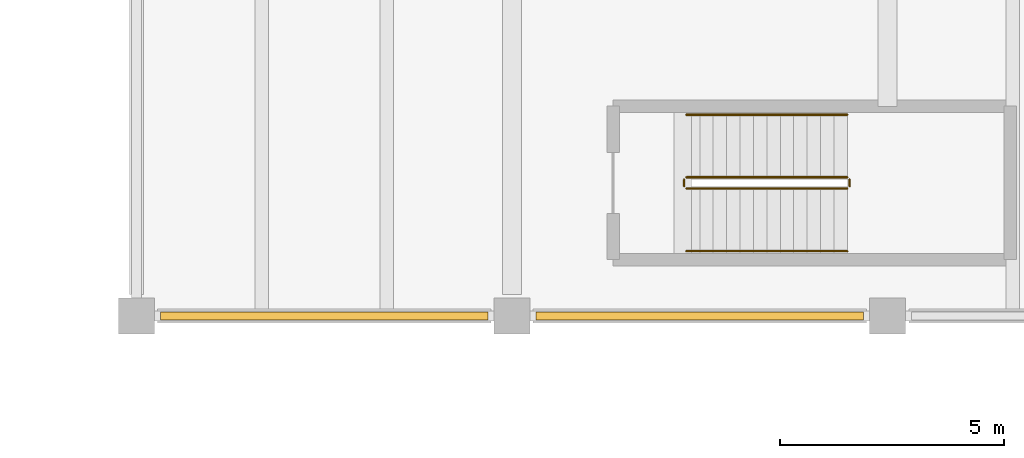
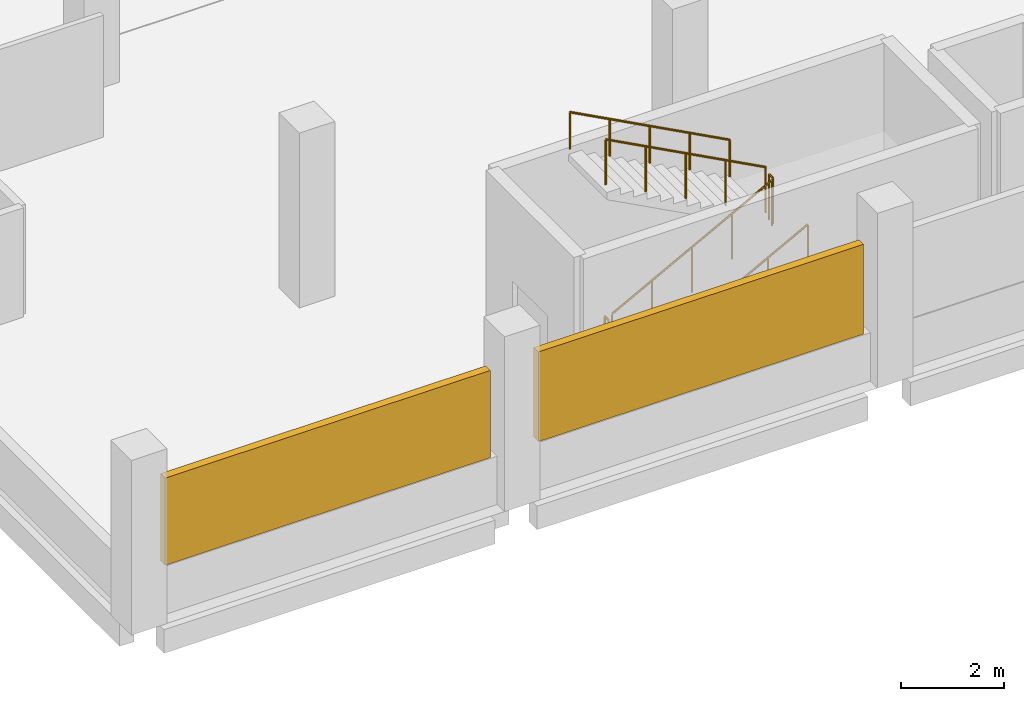
# One storey, part 164 of 177: 6 railings, 2 shading devices.
"""IFC4 building model written with IfcOpenShell, lengths in metres."""

from ifc_helpers import new_model, si_unit, direction, frame, origin, origin_2d, place, context, subcontext, project, spatial, rectangle, circle, extrude, material, type_object, element, save


model = new_model("IFC4")

# Units and contexts
model_context = context("Model", 3, precision=1e-05, world=origin(), true_north=direction((0.0, 1.0)))
body_context = subcontext(model_context, "Body", "Model", "MODEL_VIEW")
ifc_project = project(units=[si_unit("LENGTHUNIT", "METRE"), si_unit("AREAUNIT", "SQUARE_METRE"), si_unit("VOLUMEUNIT", "CUBIC_METRE"), si_unit("PLANEANGLEUNIT", "RADIAN"), si_unit("MASSUNIT", "GRAM", prefix="KILO"), si_unit("THERMODYNAMICTEMPERATUREUNIT", "KELVIN"), si_unit("POWERUNIT", "WATT")], contexts=[model_context])

# Site, building, storey
site_placement = place(None, origin())
site = spatial("IfcSite", under=ifc_project, at=site_placement, CompositionType="ELEMENT")
building_placement = place(site_placement, origin())
building = spatial("IfcBuilding", under=site, at=building_placement, Name="Mavoryth Pier Ferry Terminal", CompositionType="ELEMENT")
storey_placement = place(building_placement, frame((0.0, 0.0, 5.43994140625)))
storey = spatial("IfcBuildingStorey", under=building, at=storey_placement, Name="L01", CompositionType="ELEMENT", Elevation=5.43994140625)

# Railings
ifc_material_1 = material(Name="Painted Galvanised Steel Balustrade", Category="steel")
railing_type_1 = type_object("IfcRailingType", Name="Guard-Stair-Steel1100", PredefinedType="GUARDRAIL", material=ifc_material_1)
railing_1_placement = place(storey_placement, frame((121.5, 16.85009765625, 0.16015625)))
element("IfcRailing", 1, at=railing_1_placement, inside=storey, type_object=railing_type_1, Name="L01 ST08 stair guard 1", PredefinedType="GUARDRAIL", context=body_context, shape_type="SweptSolid", body=[
    extrude(circle(Radius=0.02392578125, at=origin_2d()), frame((0.0, 0.0, 1.076171875), z_axis=(0.882366192074, 0.0, 0.470563389019), x_axis=(0.0, 1.0, 0.0)), (0.0, 0.0, 1.0), 4.080078125),
    extrude(circle(Radius=0.02099609375, at=origin_2d()), origin(), (0.0, 0.0, 1.0), 1.052001953125),
    extrude(circle(Radius=0.02099609375, at=origin_2d()), frame((0.89990234375, 0.0, 0.47998046875)), (0.0, 0.0, 1.0), 1.052001953125),
    extrude(circle(Radius=0.02099609375, at=origin_2d()), frame((1.800048828125, 0.0, 0.9599609375)), (0.0, 0.0, 1.0), 1.052001953125),
    extrude(circle(Radius=0.02099609375, at=origin_2d()), frame((2.7001953125, 0.0, 1.43994140625)), (0.0, 0.0, 1.0), 1.052001953125),
    extrude(circle(Radius=0.02099609375, at=origin_2d()), frame((3.60009765625, 0.0, 1.919921875)), (0.0, 0.0, 1.0), 1.052001953125),
])
railing_2_placement = place(storey_placement, frame((125.14990234375, 16.89990234375, 2.080078125)))
element("IfcRailing", 2, at=railing_2_placement, inside=storey, type_object=railing_type_1, Name="L01 ST08 stair guard 2", PredefinedType="GUARDRAIL", context=body_context, shape_type="SweptSolid", body=[
    extrude(circle(Radius=0.02392578125, at=origin_2d()), frame((0.0, 0.0, 1.076171875), z_axis=(0.0, 1.0, 0.0), x_axis=(-1.0, 0.0, 0.0)), (0.0, 0.0, 1.0), 0.150146484375),
    extrude(circle(Radius=0.02099609375, at=origin_2d()), origin(), (0.0, 0.0, 1.0), 1.052001953125),
    extrude(circle(Radius=0.02099609375, at=origin_2d()), frame((0.0, 0.150146484375, 0.0)), (0.0, 0.0, 1.0), 1.052001953125),
])
railing_3_placement = place(storey_placement, frame((125.10009765625, 17.10009765625, 2.239990234375)))
element("IfcRailing", 3, at=railing_3_placement, inside=storey, type_object=railing_type_1, Name="L01 ST08 stair guard 3", PredefinedType="GUARDRAIL", context=body_context, shape_type="SweptSolid", body=[
    extrude(circle(Radius=0.02392578125, at=origin_2d()), frame((0.0, 0.0, 1.076171875), z_axis=(-0.882341346394, 0.0, 0.470609974867), x_axis=(0.0, -1.0, 0.0)), (0.0, 0.0, 1.0), 4.080078125),
    extrude(circle(Radius=0.02099609375, at=origin_2d()), origin(), (0.0, 0.0, 1.0), 1.052001953125),
    extrude(circle(Radius=0.02099609375, at=origin_2d()), frame((-0.89990234375, 0.0, 0.47998046875)), (0.0, 0.0, 1.0), 1.052001953125),
    extrude(circle(Radius=0.02099609375, at=origin_2d()), frame((-1.800048828125, 0.0, 0.9599609375)), (0.0, 0.0, 1.0), 1.052001953125),
    extrude(circle(Radius=0.02099609375, at=origin_2d()), frame((-2.7001953125, 0.0, 1.440185546875)), (0.0, 0.0, 1.0), 1.052001953125),
    extrude(circle(Radius=0.02099609375, at=origin_2d()), frame((-3.60009765625, 0.0, 1.920166015625)), (0.0, 0.0, 1.0), 1.052001953125),
])
railing_4_placement = place(storey_placement, frame((121.449951171875, 16.89990234375, 0.0)))
element("IfcRailing", 4, at=railing_4_placement, inside=storey, type_object=railing_type_1, Name="L01 ST08 stair guard 4", PredefinedType="GUARDRAIL", context=body_context, shape_type="SweptSolid", body=[
    extrude(circle(Radius=0.02392578125, at=origin_2d()), frame((0.0, 0.0, 1.076171875), z_axis=(0.0, 1.0, 0.0), x_axis=(-1.0, 0.0, 0.0)), (0.0, 0.0, 1.0), 0.150146484375),
    extrude(circle(Radius=0.02099609375, at=origin_2d()), origin(), (0.0, 0.0, 1.0), 1.052001953125),
    extrude(circle(Radius=0.02099609375, at=origin_2d()), frame((0.0, 0.150146484375, 0.0)), (0.0, 0.0, 1.0), 1.052001953125),
])
ifc_material_2 = material(Name="Brushed Stainless Steel Tubular Handrail", Category="steel")
railing_type_2 = type_object("IfcRailingType", Name="Handrail-Stair-SS900", PredefinedType="HANDRAIL", material=ifc_material_2)
railing_5_placement = place(storey_placement, frame((121.5, 15.449951171875, 0.16015625)))
element("IfcRailing", 5, at=railing_5_placement, inside=storey, type_object=railing_type_2, Name="L01 ST08 stair handrail 1", PredefinedType="HANDRAIL", context=body_context, shape_type="SweptSolid", body=[
    extrude(circle(Radius=0.02392578125, at=origin_2d()), frame((0.0, 0.0, 0.8759765625), z_axis=(0.882366192074, 0.0, 0.470563389019), x_axis=(0.0, 1.0, 0.0)), (0.0, 0.0, 1.0), 4.080078125),
    extrude(circle(Radius=0.02099609375, at=origin_2d()), origin(), (0.0, 0.0, 1.0), 0.851806640625),
    extrude(circle(Radius=0.02099609375, at=origin_2d()), frame((0.89990234375, 0.0, 0.47998046875)), (0.0, 0.0, 1.0), 0.851806640625),
    extrude(circle(Radius=0.02099609375, at=origin_2d()), frame((1.800048828125, 0.0, 0.9599609375)), (0.0, 0.0, 1.0), 0.851806640625),
    extrude(circle(Radius=0.02099609375, at=origin_2d()), frame((2.7001953125, 0.0, 1.43994140625)), (0.0, 0.0, 1.0), 0.851806640625),
    extrude(circle(Radius=0.02099609375, at=origin_2d()), frame((3.60009765625, 0.0, 1.919921875)), (0.0, 0.0, 1.0), 0.851806640625),
])
railing_6_placement = place(storey_placement, frame((125.10009765625, 18.5, 2.239990234375)))
element("IfcRailing", 6, at=railing_6_placement, inside=storey, type_object=railing_type_2, Name="L01 ST08 stair handrail 2", PredefinedType="HANDRAIL", context=body_context, shape_type="SweptSolid", body=[
    extrude(circle(Radius=0.02392578125, at=origin_2d()), frame((0.0, 0.0, 0.8759765625), z_axis=(-0.882341346394, 0.0, 0.470609974867), x_axis=(0.0, -1.0, 0.0)), (0.0, 0.0, 1.0), 4.080078125),
    extrude(circle(Radius=0.02099609375, at=origin_2d()), origin(), (0.0, 0.0, 1.0), 0.851806640625),
    extrude(circle(Radius=0.02099609375, at=origin_2d()), frame((-0.89990234375, 0.0, 0.47998046875)), (0.0, 0.0, 1.0), 0.851806640625),
    extrude(circle(Radius=0.02099609375, at=origin_2d()), frame((-1.800048828125, 0.0, 0.9599609375)), (0.0, 0.0, 1.0), 0.851806640625),
    extrude(circle(Radius=0.02099609375, at=origin_2d()), frame((-2.7001953125, 0.0, 1.440185546875)), (0.0, 0.0, 1.0), 0.851806640625),
    extrude(circle(Radius=0.02099609375, at=origin_2d()), frame((-3.60009765625, 0.0, 1.920166015625)), (0.0, 0.0, 1.0), 0.851806640625),
])

# Shading devices
ifc_material_3 = material(Name="Perforated Glazed Ceramic Solar Screen")
shading_device_type = type_object("IfcShadingDeviceType", Name="Screen-Ceramic-Bay7400x1900", PredefinedType="JALOUSIE", material=ifc_material_3)
shading_device_1_placement = place(storey_placement, frame((113.39990234375, 14.0, 1.14990234375), z_axis=(0.0, 0.0, 1.0), x_axis=(1.0, 0.0, 0.0)))
element("IfcShadingDevice", 7, at=shading_device_1_placement, inside=storey, type_object=shading_device_type, Name="Perforated Glazed Ceramic Solar Screen 1", PredefinedType="JALOUSIE", context=body_context, shape_type="SweptSolid", body=[
    extrude(rectangle(XDim=7.320068359375, YDim=0.179931640625, at=origin_2d()), origin(), (0.0, 0.0, 1.0), 2.074951171875),
])
shading_device_2_placement = place(storey_placement, frame((121.800048828125, 14.0, 1.14990234375), z_axis=(0.0, 0.0, 1.0), x_axis=(1.0, 0.0, 0.0)))
element("IfcShadingDevice", 8, at=shading_device_2_placement, inside=storey, type_object=shading_device_type, Name="Perforated Glazed Ceramic Solar Screen 3", PredefinedType="JALOUSIE", context=body_context, shape_type="SweptSolid", body=[
    extrude(rectangle(XDim=7.320068359375, YDim=0.179931640625, at=origin_2d()), origin(), (0.0, 0.0, 1.0), 2.135009765625),
])

save(model, "model.ifc")
